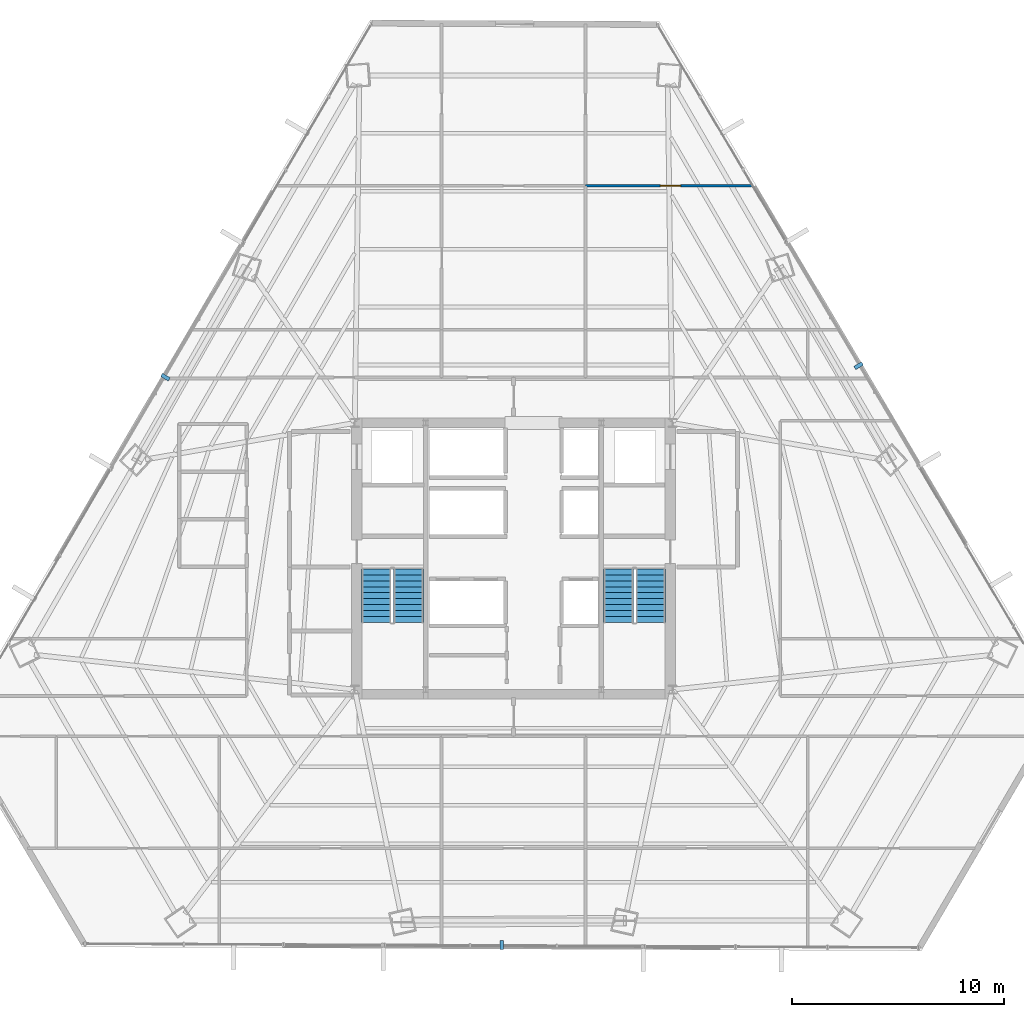
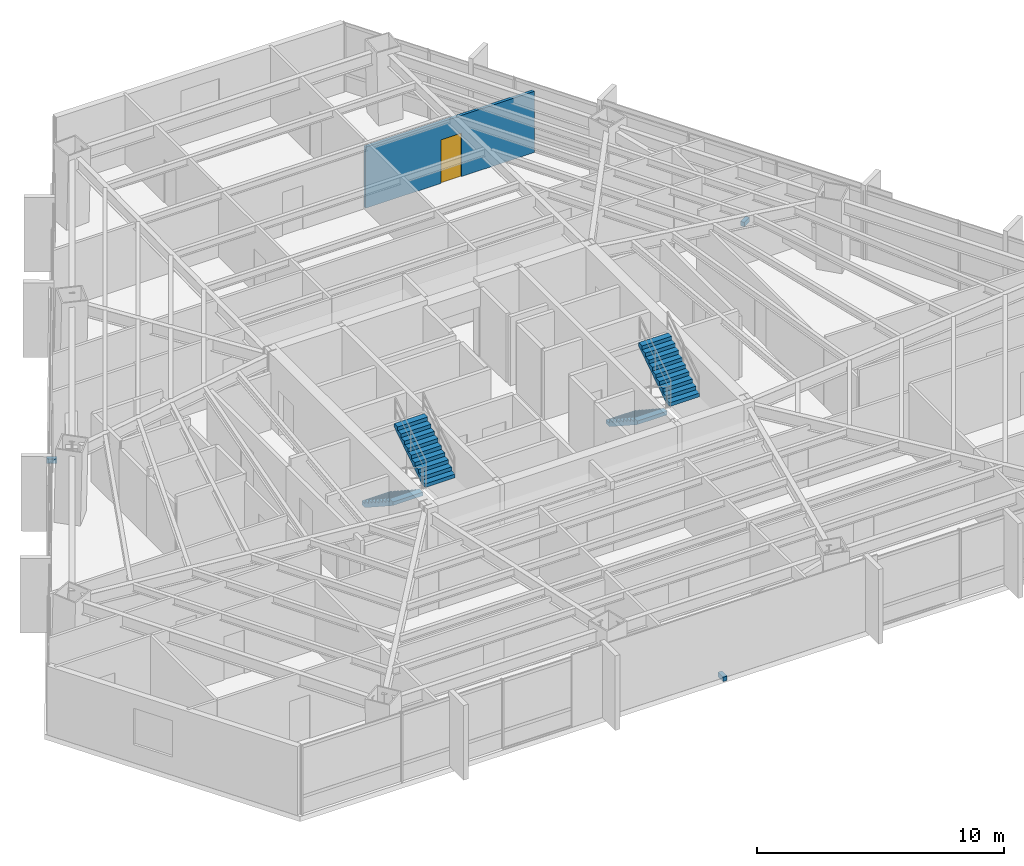
# One storey, part 32 of 35: 4 stair flights, 3 discrete accessories, 1 door, 1 wall, 1 opening, 2 elements without a shape of their own.
"""IFC4 building model written with IfcOpenShell, lengths in metres."""

from ifc_helpers import new_model, si_unit, direction, frame, frame_2d, origin, origin_2d, place, context, subcontext, project, spatial, polyline, rectangle, outline, extrude, source, transform, mapped, material, layer, layer_set, type_object, type_shapes, element, fill, aggregate, save


model = new_model("IFC4")

# Units and contexts
model_context = context("Model", 3, precision=1e-05, world=origin(), true_north=direction((0.0, 1.0)))
body_context = subcontext(model_context, "Body", "Model", "MODEL_VIEW")
ifc_project = project(units=[si_unit("LENGTHUNIT", "METRE"), si_unit("AREAUNIT", "SQUARE_METRE"), si_unit("VOLUMEUNIT", "CUBIC_METRE"), si_unit("PLANEANGLEUNIT", "RADIAN"), si_unit("MASSUNIT", "GRAM", prefix="KILO")], contexts=[model_context])

# Site, building, storey
site_placement = place(None, origin())
site = spatial("IfcSite", under=ifc_project, at=site_placement, CompositionType="ELEMENT")
building_placement = place(site_placement, origin())
building = spatial("IfcBuilding", under=site, at=building_placement, Name="Caelisora Broadcast Tower", CompositionType="ELEMENT")
storey_placement = place(building_placement, frame((0.0, 0.0, 109.050048828125)))
storey = spatial("IfcBuildingStorey", under=building, at=storey_placement, Name="L28", CompositionType="ELEMENT", Elevation=109.050048828125)

# Wall, opening, door
ifc_material_1 = material(Name="Acoustic Steel-Stud Plasterboard Partition", Category="gypsum")
ifc_layer = layer(ifc_material_1, 0.1298828125, Name="Acoustic Steel-Stud Plasterboard Partition")
ifc_layer_set = layer_set([ifc_layer], Name="Acoustic Steel-Stud Plasterboard Partition")
wall_type = type_object("IfcWallType", Name="PW3", PredefinedType="PARTITIONING", material=ifc_layer_set)
wall_placement = place(storey_placement, frame((41.405029296875, 41.199951171875, 0.0), z_axis=(0.0, 0.0, 1.0), x_axis=(1.0, 0.0, 0.0)))
wall = element("IfcWall", 1, at=wall_placement, inside=storey, type_object=wall_type, Name="L28 internal partition PW3", PredefinedType="PARTITIONING", context=body_context, shape_type="SweptSolid", body=[
    extrude(rectangle(XDim=7.90869140625, YDim=0.1298828125, at=frame_2d((3.954345703125, 0.0))), origin(), (0.0, 0.0, 1.0), 3.0263671875),
])
opening_placement = place(wall_placement, frame((3.528076171875, 0.0, 0.0)))
opening = element("IfcOpeningElement", 2, at=opening_placement, cuts=wall, Name="Opening D01", PredefinedType="OPENING", context=body_context, shape_type="SweptSolid", body=[
    extrude(rectangle(XDim=0.9599609375, YDim=2.14990234375, at=frame_2d((0.47998046875, 1.074951171875))), frame((0.0, 0.076904296875, 0.0), z_axis=(0.0, -1.0, 0.0), x_axis=(1.0, 0.0, 0.0)), (0.0, 0.0, 1.0), 0.15380859375),
])
ifc_material_2 = material(Name="Solid-Core Timber Acoustic Office Door", Category="wood")
door_type = type_object("IfcDoorType", Name="D01", OperationType="NOTDEFINED", PredefinedType="DOOR", material=ifc_material_2)
door_placement = place(opening_placement, origin())
door = element("IfcDoor", 3, at=door_placement, inside=storey, type_object=door_type, Name="L28 door D01 (L28-DR-P42D1)", OperationType="SINGLE_SWING_LEFT", OverallHeight=2.14990234375, OverallWidth=0.9599609375, PredefinedType="DOOR", context=body_context, shape_type="SweptSolid", body=[
    extrude(rectangle(XDim=0.9599609375, YDim=2.14990234375, at=frame_2d((0.47998046875, 1.074951171875))), frame((0.0, 0.02490234375, 0.0), z_axis=(0.0, -1.0, 0.0), x_axis=(1.0, 0.0, 0.0)), (0.0, 0.0, 1.0), 0.050048828125),
])
fill(opening, door)

# Stair, stair flights
ifc_material_3 = material(Name="Concrete 40 MPa (AS 3600 N40)", Category="concrete")
stair_type_1 = type_object("IfcStairType", Name="ST-1", PredefinedType="HALF_TURN_STAIR", material=ifc_material_3)
stair_1_placement = place(storey_placement, origin())
stair_1 = element("IfcStair", 4, at=stair_1_placement, inside=storey, type_object=stair_type_1, Name="L28 West Fire-Isolated Tower Stair", PredefinedType="HALF_TURN_STAIR")
stair_flight_type = type_object("IfcStairFlightType", Name="STF-2", PredefinedType="STRAIGHT", material=ifc_material_3)
stair_flight_1_placement = place(storey_placement, frame((31.52001953125, 23.10009765625, 0.0), z_axis=(0.0, 0.0, 1.0), x_axis=(0.0, -1.0, 0.0)))
stair_flight_1 = element("IfcStairFlight", 5, at=stair_flight_1_placement, type_object=stair_flight_type, Name="ST-1 flight 1", NumberOfRisers=10, NumberOfTreads=9, PredefinedType="STRAIGHT", RiserHeight=0.1825, TreadLength=0.28, context=body_context, shape_type="SweptSolid", body=[
    extrude(outline(polyline([(0.0, 0.0), (0.0, 0.1826171875), (0.280029296875, 0.1826171875), (0.280029296875, 0.364990234375), (0.56005859375, 0.364990234375), (0.56005859375, 0.547607421875), (0.840087890625, 0.547607421875), (0.840087890625, 0.72998046875), (1.1201171875, 0.72998046875), (1.1201171875, 0.91259765625), (1.39990234375, 0.91259765625), (1.39990234375, 1.094970703125), (1.679931640625, 1.094970703125), (1.679931640625, 1.277587890625), (1.9599609375, 1.277587890625), (1.9599609375, 1.4599609375), (2.239990234375, 1.4599609375), (2.239990234375, 1.642578125), (2.52001953125, 1.642578125), (2.52001953125, 1.824951171875), (2.52001953125, 1.463623046875), (0.2744140625, 0.0), (0.0, 0.0)])), frame((0.0, 0.699951171875, 0.0), z_axis=(0.0, -1.0, 0.0), x_axis=(1.0, 0.0, 0.0)), (0.0, 0.0, 1.0), 1.39990234375),
])
stair_flight_2_placement = place(storey_placement, frame((33.0400390625, 20.580078125, 1.824951171875), z_axis=(0.0, 0.0, 1.0), x_axis=(0.0, 1.0, 0.0)))
stair_flight_2 = element("IfcStairFlight", 6, at=stair_flight_2_placement, type_object=stair_flight_type, Name="ST-1 flight 2", NumberOfRisers=10, NumberOfTreads=9, PredefinedType="STRAIGHT", RiserHeight=0.1825, TreadLength=0.28, context=body_context, shape_type="SweptSolid", body=[
    extrude(outline(polyline([(0.0, 0.0), (0.0, 0.1826171875), (0.280029296875, 0.1826171875), (0.280029296875, 0.364990234375), (0.56005859375, 0.364990234375), (0.56005859375, 0.547607421875), (0.840087890625, 0.547607421875), (0.840087890625, 0.72998046875), (1.1201171875, 0.72998046875), (1.1201171875, 0.91259765625), (1.39990234375, 0.91259765625), (1.39990234375, 1.094970703125), (1.679931640625, 1.094970703125), (1.679931640625, 1.277587890625), (1.9599609375, 1.277587890625), (1.9599609375, 1.4599609375), (2.239990234375, 1.4599609375), (2.239990234375, 1.642578125), (2.52001953125, 1.642578125), (2.52001953125, 1.824951171875), (2.52001953125, 1.463623046875), (0.2744140625, 0.0), (0.0, 0.0)])), frame((0.0, 0.699951171875, 0.0), z_axis=(0.0, -1.0, 0.0), x_axis=(1.0, 0.0, 0.0)), (0.0, 0.0, 1.0), 1.39990234375),
])
aggregate(stair_1, [stair_flight_1, stair_flight_2])

stair_type_2 = type_object("IfcStairType", Name="ST-2", PredefinedType="HALF_TURN_STAIR", material=ifc_material_3)
stair_2_placement = place(storey_placement, origin())
stair_2 = element("IfcStair", 7, at=stair_2_placement, inside=storey, type_object=stair_type_2, Name="L28 East Fire-Isolated Tower Stair", PredefinedType="HALF_TURN_STAIR")
stair_flight_3_placement = place(storey_placement, frame((42.9599609375, 23.10009765625, 0.0), z_axis=(0.0, 0.0, 1.0), x_axis=(0.0, -1.0, 0.0)))
stair_flight_3 = element("IfcStairFlight", 8, at=stair_flight_3_placement, type_object=stair_flight_type, Name="ST-2 flight 1", NumberOfRisers=10, NumberOfTreads=9, PredefinedType="STRAIGHT", RiserHeight=0.1825, TreadLength=0.28, context=body_context, shape_type="SweptSolid", body=[
    extrude(outline(polyline([(0.0, 0.0), (0.0, 0.1826171875), (0.280029296875, 0.1826171875), (0.280029296875, 0.364990234375), (0.56005859375, 0.364990234375), (0.56005859375, 0.547607421875), (0.840087890625, 0.547607421875), (0.840087890625, 0.72998046875), (1.1201171875, 0.72998046875), (1.1201171875, 0.91259765625), (1.39990234375, 0.91259765625), (1.39990234375, 1.094970703125), (1.679931640625, 1.094970703125), (1.679931640625, 1.277587890625), (1.9599609375, 1.277587890625), (1.9599609375, 1.4599609375), (2.239990234375, 1.4599609375), (2.239990234375, 1.642578125), (2.52001953125, 1.642578125), (2.52001953125, 1.824951171875), (2.52001953125, 1.463623046875), (0.2744140625, 0.0), (0.0, 0.0)])), frame((0.0, 0.699951171875, 0.0), z_axis=(0.0, -1.0, 0.0), x_axis=(1.0, 0.0, 0.0)), (0.0, 0.0, 1.0), 1.39990234375),
])
stair_flight_4_placement = place(storey_placement, frame((44.47998046875, 20.580078125, 1.824951171875), z_axis=(0.0, 0.0, 1.0), x_axis=(0.0, 1.0, 0.0)))
stair_flight_4 = element("IfcStairFlight", 9, at=stair_flight_4_placement, type_object=stair_flight_type, Name="ST-2 flight 2", NumberOfRisers=10, NumberOfTreads=9, PredefinedType="STRAIGHT", RiserHeight=0.1825, TreadLength=0.28, context=body_context, shape_type="SweptSolid", body=[
    extrude(outline(polyline([(0.0, 0.0), (0.0, 0.1826171875), (0.280029296875, 0.1826171875), (0.280029296875, 0.364990234375), (0.56005859375, 0.364990234375), (0.56005859375, 0.547607421875), (0.840087890625, 0.547607421875), (0.840087890625, 0.72998046875), (1.1201171875, 0.72998046875), (1.1201171875, 0.91259765625), (1.39990234375, 0.91259765625), (1.39990234375, 1.094970703125), (1.679931640625, 1.094970703125), (1.679931640625, 1.277587890625), (1.9599609375, 1.277587890625), (1.9599609375, 1.4599609375), (2.239990234375, 1.4599609375), (2.239990234375, 1.642578125), (2.52001953125, 1.642578125), (2.52001953125, 1.824951171875), (2.52001953125, 1.463623046875), (0.2744140625, 0.0), (0.0, 0.0)])), frame((0.0, 0.699951171875, 0.0), z_axis=(0.0, -1.0, 0.0), x_axis=(1.0, 0.0, 0.0)), (0.0, 0.0, 1.0), 1.39990234375),
])
aggregate(stair_2, [stair_flight_3, stair_flight_4])

# Discrete accessories
ifc_material_4 = material(Name="Steel Grade 350 (AS/NZS 3679.1)", Category="steel")
discrete_accessory_type = type_object("IfcDiscreteAccessoryType", Name="BRK-1", PredefinedType="BRACKET", material=ifc_material_4)
shared_shape = source(origin(), body_context, "Body", "SweptSolid", [
    extrude(rectangle(XDim=0.179931640625, YDim=0.419921875, at=origin_2d()), origin(), (0.0, 0.0, 1.0), 0.219970703125),
])
type_shapes(discrete_accessory_type, [shared_shape])
for number, where, z_axis, x_axis, name in (
    (10, (21.55126953125, 32.162109375, -0.16015625), (0.0, 0.0, 1.0), (-0.505582083675, -0.862778509623, 0.0), "L28 solar screen outrigger bracket #1"),
    (11, (37.4443359375, 5.3291015625, -0.16015625), (0.0, 0.0, 1.0), (0.999989703949, -0.004537840481, 0.0), "L28 solar screen outrigger bracket #2"),
    (12, (54.30419921875, 32.702392578125, -0.16015625), (0.0, 0.0, 1.0), (-0.509492029423, 0.860475375565, 0.0), "L28 solar screen outrigger bracket #3"),
):
    element("IfcDiscreteAccessory", number, at=place(storey_placement, frame(where, z_axis=z_axis, x_axis=x_axis)), inside=storey, type_object=discrete_accessory_type, Name=name, PredefinedType="BRACKET", context=body_context, shape_type="MappedRepresentation", body=[
        mapped(shared_shape, transform((0.0, 0.0, 0.0), scale=1.0)),
    ])

save(model, "model.ifc")
